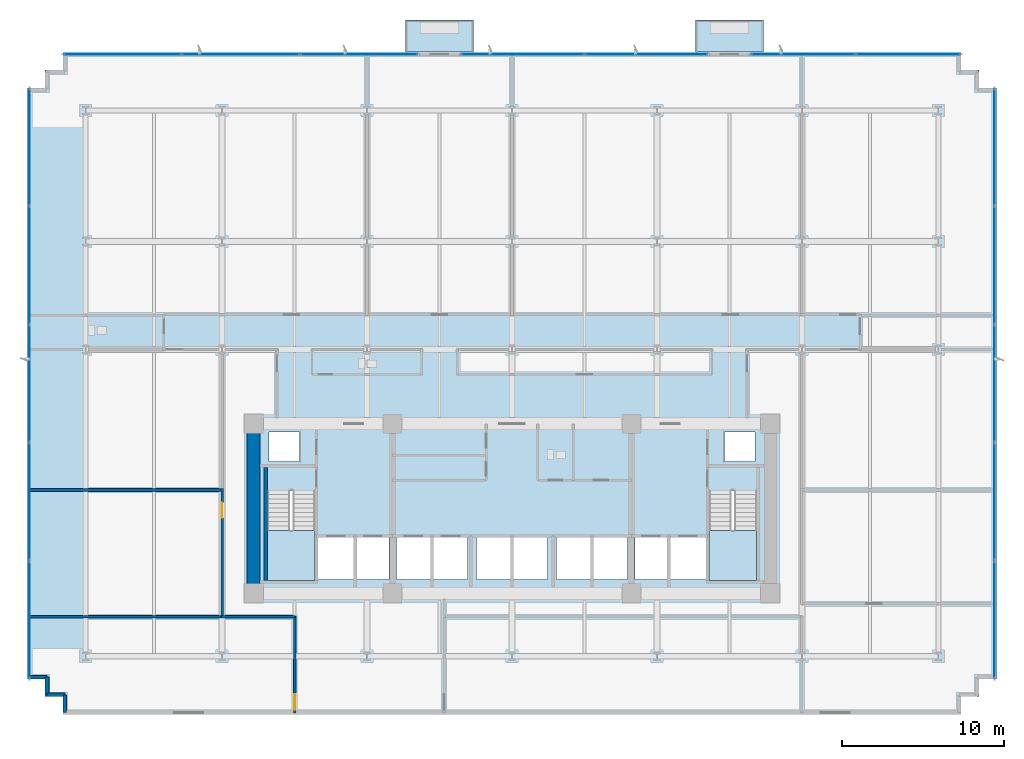
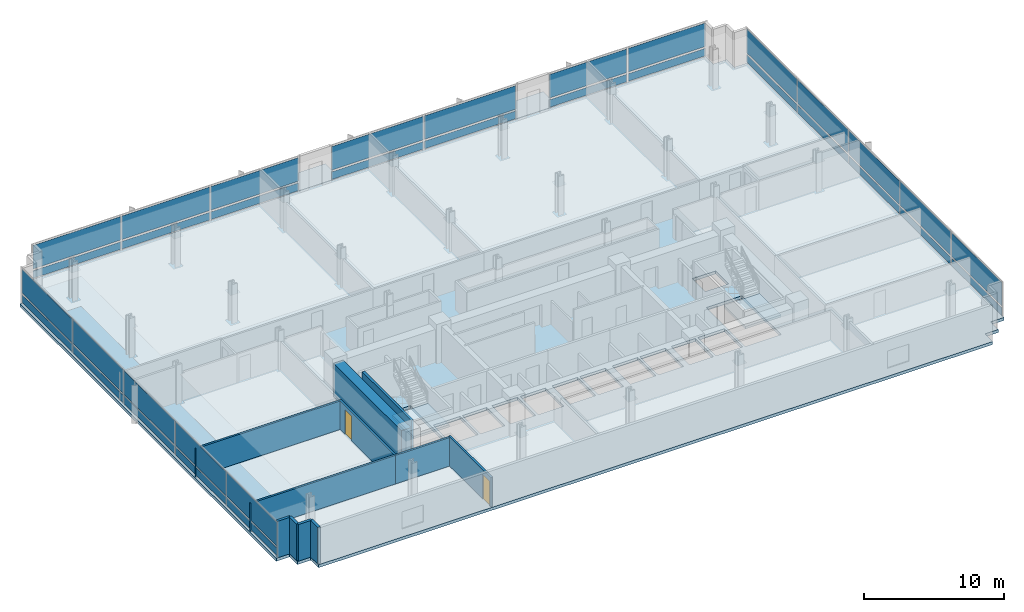
# One storey, part 7 of 14: 34 plates, 11 walls, 5 slabs, 2 doors, 2 openings, 7 elements without a shape of their own.
"""IFC4 building model written with IfcOpenShell, lengths in metres."""

from ifc_helpers import new_model, si_unit, direction, frame, frame_2d, origin, origin_2d, place, context, subcontext, project, spatial, polyline, rectangle, outline, extrude, material, layer, layer_set, type_object, element, fill, aggregate, save


model = new_model("IFC4")

# Units and contexts
model_context = context("Model", 3, precision=1e-05, world=origin(), true_north=direction((0.0, 1.0)))
body_context = subcontext(model_context, "Body", "Model", "MODEL_VIEW")
ifc_project = project(units=[si_unit("LENGTHUNIT", "METRE"), si_unit("AREAUNIT", "SQUARE_METRE"), si_unit("VOLUMEUNIT", "CUBIC_METRE"), si_unit("PLANEANGLEUNIT", "RADIAN"), si_unit("MASSUNIT", "GRAM", prefix="KILO")], contexts=[model_context])

# Site, building, storey
site_placement = place(None, origin())
site = spatial("IfcSite", under=ifc_project, at=site_placement, CompositionType="ELEMENT")
building_placement = place(site_placement, origin())
building = spatial("IfcBuilding", under=site, at=building_placement, Name="Solmavex Isthmus Hotel", CompositionType="ELEMENT")
storey_placement = place(building_placement, frame((0.0, 0.0, 50.550048828125)))
storey = spatial("IfcBuildingStorey", under=building, at=storey_placement, Name="L13", CompositionType="ELEMENT", Elevation=50.550048828125)

# Curtain wall, plates
ifc_material_1 = material(Name="Aluminium alloy 6063-T6", Category="aluminium")
curtain_wall_type = type_object("IfcCurtainWallType", Name="CW-SYS-02", PredefinedType="NOTDEFINED", material=ifc_material_1)
curtain_wall_1_placement = place(storey_placement, origin())
curtain_wall_1 = element("IfcCurtainWall", 1, at=curtain_wall_1_placement, inside=storey, type_object=curtain_wall_type, Name="Stick Curtain Wall CWL-L13-N1", PredefinedType="NOTDEFINED")
ifc_material_2 = material(Name="Clear low-E laminated glass", Category="glass")
ifc_layer_1 = layer(ifc_material_2, 0.031982421875)
ifc_layer_set_1 = layer_set([ifc_layer_1], Name="Clear low-E laminated glass")
plate_type = type_object("IfcPlateType", Name="CW-SYS-02-PNL", PredefinedType="CURTAIN_PANEL", material=ifc_layer_set_1)
plate_1_placement = place(storey_placement, frame((-24.112548828125, 20.3798828125, 0.16015625), z_axis=(0.0, 0.0, 1.0), x_axis=(1.0, 0.0, 0.0)))
plate_1 = element("IfcPlate", 2, at=plate_1_placement, type_object=plate_type, Name="CW-02 panel 1.1", PredefinedType="CURTAIN_PANEL", context=body_context, shape_type="SweptSolid", body=[
    extrude(rectangle(XDim=7.224853515625, YDim=0.031982421875, at=origin_2d()), origin(), (0.0, 0.0, 1.0), 0.659912109375),
])
plate_2_placement = place(storey_placement, frame((-24.112548828125, 20.3798828125, 0.97998046875), z_axis=(0.0, 0.0, 1.0), x_axis=(1.0, 0.0, 0.0)))
plate_2 = element("IfcPlate", 3, at=plate_2_placement, type_object=plate_type, Name="CW-02 panel 1.2", PredefinedType="CURTAIN_PANEL", context=body_context, shape_type="SweptSolid", body=[
    extrude(rectangle(XDim=7.224853515625, YDim=0.031982421875, at=origin_2d()), origin(), (0.0, 0.0, 1.0), 2.050048828125),
])
plate_3_placement = place(storey_placement, frame((-16.7939453125, 20.3798828125, 0.16015625), z_axis=(0.0, 0.0, 1.0), x_axis=(1.0, 0.0, 0.0)))
plate_3 = element("IfcPlate", 4, at=plate_3_placement, type_object=plate_type, Name="CW-02 panel 2.1", PredefinedType="CURTAIN_PANEL", context=body_context, shape_type="SweptSolid", body=[
    extrude(rectangle(XDim=7.262451171875, YDim=0.031982421875, at=origin_2d()), origin(), (0.0, 0.0, 1.0), 0.659912109375),
])
plate_4_placement = place(storey_placement, frame((-16.7939453125, 20.3798828125, 0.97998046875), z_axis=(0.0, 0.0, 1.0), x_axis=(1.0, 0.0, 0.0)))
plate_4 = element("IfcPlate", 5, at=plate_4_placement, type_object=plate_type, Name="CW-02 panel 2.2", PredefinedType="CURTAIN_PANEL", context=body_context, shape_type="SweptSolid", body=[
    extrude(rectangle(XDim=7.262451171875, YDim=0.031982421875, at=origin_2d()), origin(), (0.0, 0.0, 1.0), 2.050048828125),
])
plate_5_placement = place(storey_placement, frame((-9.475341796875, 20.3798828125, 0.16015625), z_axis=(0.0, 0.0, 1.0), x_axis=(1.0, 0.0, 0.0)))
plate_5 = element("IfcPlate", 6, at=plate_5_placement, type_object=plate_type, Name="CW-02 panel 3.1", PredefinedType="CURTAIN_PANEL", context=body_context, shape_type="SweptSolid", body=[
    extrude(rectangle(XDim=7.224853515625, YDim=0.031982421875, at=origin_2d()), origin(), (0.0, 0.0, 1.0), 0.659912109375),
])
plate_6_placement = place(storey_placement, frame((-9.475341796875, 20.3798828125, 0.97998046875), z_axis=(0.0, 0.0, 1.0), x_axis=(1.0, 0.0, 0.0)))
plate_6 = element("IfcPlate", 7, at=plate_6_placement, type_object=plate_type, Name="CW-02 panel 3.2", PredefinedType="CURTAIN_PANEL", context=body_context, shape_type="SweptSolid", body=[
    extrude(rectangle(XDim=7.224853515625, YDim=0.031982421875, at=origin_2d()), origin(), (0.0, 0.0, 1.0), 2.050048828125),
])
aggregate(curtain_wall_1, [plate_1, plate_2, plate_3, plate_4, plate_5, plate_6])

curtain_wall_2_placement = place(storey_placement, origin())
curtain_wall_2 = element("IfcCurtainWall", 8, at=curtain_wall_2_placement, inside=storey, type_object=curtain_wall_type, Name="Stick Curtain Wall CWL-L13-N2", PredefinedType="NOTDEFINED")
plate_7_placement = place(storey_placement, frame((0.668701171875, 20.3798828125, 0.16015625), z_axis=(0.0, 0.0, 1.0), x_axis=(1.0, 0.0, 0.0)))
plate_7 = element("IfcPlate", 9, at=plate_7_placement, type_object=plate_type, Name="CW-02 panel 1.1", PredefinedType="CURTAIN_PANEL", context=body_context, shape_type="SweptSolid", body=[
    extrude(rectangle(XDim=7.5634765625, YDim=0.031982421875, at=origin_2d()), origin(), (0.0, 0.0, 1.0), 0.659912109375),
])
plate_8_placement = place(storey_placement, frame((0.668701171875, 20.3798828125, 0.97998046875), z_axis=(0.0, 0.0, 1.0), x_axis=(1.0, 0.0, 0.0)))
plate_8 = element("IfcPlate", 10, at=plate_8_placement, type_object=plate_type, Name="CW-02 panel 1.2", PredefinedType="CURTAIN_PANEL", context=body_context, shape_type="SweptSolid", body=[
    extrude(rectangle(XDim=7.5634765625, YDim=0.031982421875, at=origin_2d()), origin(), (0.0, 0.0, 1.0), 2.050048828125),
])
plate_9_placement = place(storey_placement, frame((8.30712890625, 20.3798828125, 0.16015625), z_axis=(0.0, 0.0, 1.0), x_axis=(1.0, 0.0, 0.0)))
plate_9 = element("IfcPlate", 11, at=plate_9_placement, type_object=plate_type, Name="CW-02 panel 2.1", PredefinedType="CURTAIN_PANEL", context=body_context, shape_type="SweptSolid", body=[
    extrude(rectangle(XDim=7.5634765625, YDim=0.031982421875, at=origin_2d()), origin(), (0.0, 0.0, 1.0), 0.659912109375),
])
plate_10_placement = place(storey_placement, frame((8.30712890625, 20.3798828125, 0.97998046875), z_axis=(0.0, 0.0, 1.0), x_axis=(1.0, 0.0, 0.0)))
plate_10 = element("IfcPlate", 12, at=plate_10_placement, type_object=plate_type, Name="CW-02 panel 2.2", PredefinedType="CURTAIN_PANEL", context=body_context, shape_type="SweptSolid", body=[
    extrude(rectangle(XDim=7.5634765625, YDim=0.031982421875, at=origin_2d()), origin(), (0.0, 0.0, 1.0), 2.050048828125),
])
aggregate(curtain_wall_2, [plate_7, plate_8, plate_9, plate_10])

curtain_wall_3_placement = place(storey_placement, origin())
curtain_wall_3 = element("IfcCurtainWall", 13, at=curtain_wall_3_placement, inside=storey, type_object=curtain_wall_type, Name="Stick Curtain Wall CWL-L13-N3", PredefinedType="NOTDEFINED")
plate_11_placement = place(storey_placement, frame((18.041748046875, 20.3798828125, 0.16015625), z_axis=(0.0, 0.0, 1.0), x_axis=(1.0, 0.0, 0.0)))
plate_11 = element("IfcPlate", 14, at=plate_11_placement, type_object=plate_type, Name="CW-02 panel 1.1", PredefinedType="CURTAIN_PANEL", context=body_context, shape_type="SweptSolid", body=[
    extrude(rectangle(XDim=6.405517578125, YDim=0.031982421875, at=origin_2d()), origin(), (0.0, 0.0, 1.0), 0.659912109375),
])
plate_12_placement = place(storey_placement, frame((18.041748046875, 20.3798828125, 0.97998046875), z_axis=(0.0, 0.0, 1.0), x_axis=(1.0, 0.0, 0.0)))
plate_12 = element("IfcPlate", 15, at=plate_12_placement, type_object=plate_type, Name="CW-02 panel 1.2", PredefinedType="CURTAIN_PANEL", context=body_context, shape_type="SweptSolid", body=[
    extrude(rectangle(XDim=6.405517578125, YDim=0.031982421875, at=origin_2d()), origin(), (0.0, 0.0, 1.0), 2.050048828125),
])
plate_13_placement = place(storey_placement, frame((24.522216796875, 20.3798828125, 0.16015625), z_axis=(0.0, 0.0, 1.0), x_axis=(1.0, 0.0, 0.0)))
plate_13 = element("IfcPlate", 16, at=plate_13_placement, type_object=plate_type, Name="CW-02 panel 2.1", PredefinedType="CURTAIN_PANEL", context=body_context, shape_type="SweptSolid", body=[
    extrude(rectangle(XDim=6.405517578125, YDim=0.031982421875, at=origin_2d()), origin(), (0.0, 0.0, 1.0), 0.659912109375),
])
plate_14_placement = place(storey_placement, frame((24.522216796875, 20.3798828125, 0.97998046875), z_axis=(0.0, 0.0, 1.0), x_axis=(1.0, 0.0, 0.0)))
plate_14 = element("IfcPlate", 17, at=plate_14_placement, type_object=plate_type, Name="CW-02 panel 2.2", PredefinedType="CURTAIN_PANEL", context=body_context, shape_type="SweptSolid", body=[
    extrude(rectangle(XDim=6.405517578125, YDim=0.031982421875, at=origin_2d()), origin(), (0.0, 0.0, 1.0), 2.050048828125),
])
aggregate(curtain_wall_3, [plate_11, plate_12, plate_13, plate_14])

curtain_wall_4_placement = place(storey_placement, origin())
curtain_wall_4 = element("IfcCurtainWall", 18, at=curtain_wall_4_placement, inside=storey, type_object=curtain_wall_type, Name="Stick Curtain Wall CWL-L13-W1", PredefinedType="NOTDEFINED")
plate_15_placement = place(storey_placement, frame((-29.8798828125, -14.621337890625, 0.16015625), z_axis=(0.0, 0.0, 1.0), x_axis=(0.0, 1.0, 0.0)))
plate_15 = element("IfcPlate", 19, at=plate_15_placement, type_object=plate_type, Name="CW-02 panel 1.1", PredefinedType="CURTAIN_PANEL", context=body_context, shape_type="SweptSolid", body=[
    extrude(rectangle(XDim=7.20751953125, YDim=0.031982421875, at=origin_2d()), origin(), (0.0, 0.0, 1.0), 0.659912109375),
])
plate_16_placement = place(storey_placement, frame((-29.8798828125, -14.621337890625, 0.97998046875), z_axis=(0.0, 0.0, 1.0), x_axis=(0.0, 1.0, 0.0)))
plate_16 = element("IfcPlate", 20, at=plate_16_placement, type_object=plate_type, Name="CW-02 panel 1.2", PredefinedType="CURTAIN_PANEL", context=body_context, shape_type="SweptSolid", body=[
    extrude(rectangle(XDim=7.20751953125, YDim=0.031982421875, at=origin_2d()), origin(), (0.0, 0.0, 1.0), 2.050048828125),
])
plate_17_placement = place(storey_placement, frame((-29.8798828125, -7.320068359375, 0.16015625), z_axis=(0.0, 0.0, 1.0), x_axis=(0.0, 1.0, 0.0)))
plate_17 = element("IfcPlate", 21, at=plate_17_placement, type_object=plate_type, Name="CW-02 panel 2.1", PredefinedType="CURTAIN_PANEL", context=body_context, shape_type="SweptSolid", body=[
    extrude(rectangle(XDim=7.2451171875, YDim=0.031982421875, at=origin_2d()), origin(), (0.0, 0.0, 1.0), 0.659912109375),
])
plate_18_placement = place(storey_placement, frame((-29.8798828125, -7.320068359375, 0.97998046875), z_axis=(0.0, 0.0, 1.0), x_axis=(0.0, 1.0, 0.0)))
plate_18 = element("IfcPlate", 22, at=plate_18_placement, type_object=plate_type, Name="CW-02 panel 2.2", PredefinedType="CURTAIN_PANEL", context=body_context, shape_type="SweptSolid", body=[
    extrude(rectangle(XDim=7.2451171875, YDim=0.031982421875, at=origin_2d()), origin(), (0.0, 0.0, 1.0), 2.050048828125),
])
plate_19_placement = place(storey_placement, frame((-29.8798828125, 0.0, 0.16015625), z_axis=(0.0, 0.0, 1.0), x_axis=(0.0, 1.0, 0.0)))
plate_19 = element("IfcPlate", 23, at=plate_19_placement, type_object=plate_type, Name="CW-02 panel 3.1", PredefinedType="CURTAIN_PANEL", context=body_context, shape_type="SweptSolid", body=[
    extrude(rectangle(XDim=7.2451171875, YDim=0.031982421875, at=origin_2d()), origin(), (0.0, 0.0, 1.0), 0.659912109375),
])
plate_20_placement = place(storey_placement, frame((-29.8798828125, 0.0, 0.97998046875), z_axis=(0.0, 0.0, 1.0), x_axis=(0.0, 1.0, 0.0)))
plate_20 = element("IfcPlate", 24, at=plate_20_placement, type_object=plate_type, Name="CW-02 panel 3.2", PredefinedType="CURTAIN_PANEL", context=body_context, shape_type="SweptSolid", body=[
    extrude(rectangle(XDim=7.2451171875, YDim=0.031982421875, at=origin_2d()), origin(), (0.0, 0.0, 1.0), 2.050048828125),
])
plate_21_placement = place(storey_placement, frame((-29.8798828125, 7.320068359375, 0.16015625), z_axis=(0.0, 0.0, 1.0), x_axis=(0.0, 1.0, 0.0)))
plate_21 = element("IfcPlate", 25, at=plate_21_placement, type_object=plate_type, Name="CW-02 panel 4.1", PredefinedType="CURTAIN_PANEL", context=body_context, shape_type="SweptSolid", body=[
    extrude(rectangle(XDim=7.2451171875, YDim=0.031982421875, at=origin_2d()), origin(), (0.0, 0.0, 1.0), 0.659912109375),
])
plate_22_placement = place(storey_placement, frame((-29.8798828125, 7.320068359375, 0.97998046875), z_axis=(0.0, 0.0, 1.0), x_axis=(0.0, 1.0, 0.0)))
plate_22 = element("IfcPlate", 26, at=plate_22_placement, type_object=plate_type, Name="CW-02 panel 4.2", PredefinedType="CURTAIN_PANEL", context=body_context, shape_type="SweptSolid", body=[
    extrude(rectangle(XDim=7.2451171875, YDim=0.031982421875, at=origin_2d()), origin(), (0.0, 0.0, 1.0), 2.050048828125),
])
plate_23_placement = place(storey_placement, frame((-29.8798828125, 14.621337890625, 0.16015625), z_axis=(0.0, 0.0, 1.0), x_axis=(0.0, 1.0, 0.0)))
plate_23 = element("IfcPlate", 27, at=plate_23_placement, type_object=plate_type, Name="CW-02 panel 5.1", PredefinedType="CURTAIN_PANEL", context=body_context, shape_type="SweptSolid", body=[
    extrude(rectangle(XDim=7.20751953125, YDim=0.031982421875, at=origin_2d()), origin(), (0.0, 0.0, 1.0), 0.659912109375),
])
plate_24_placement = place(storey_placement, frame((-29.8798828125, 14.621337890625, 0.97998046875), z_axis=(0.0, 0.0, 1.0), x_axis=(0.0, 1.0, 0.0)))
plate_24 = element("IfcPlate", 28, at=plate_24_placement, type_object=plate_type, Name="CW-02 panel 5.2", PredefinedType="CURTAIN_PANEL", context=body_context, shape_type="SweptSolid", body=[
    extrude(rectangle(XDim=7.20751953125, YDim=0.031982421875, at=origin_2d()), origin(), (0.0, 0.0, 1.0), 2.050048828125),
])
aggregate(curtain_wall_4, [plate_15, plate_16, plate_17, plate_18, plate_19, plate_20, plate_21, plate_22, plate_23, plate_24])

curtain_wall_5_placement = place(storey_placement, origin())
curtain_wall_5 = element("IfcCurtainWall", 29, at=curtain_wall_5_placement, inside=storey, type_object=curtain_wall_type, Name="Stick Curtain Wall CWL-L13-E1", PredefinedType="NOTDEFINED")
plate_25_placement = place(storey_placement, frame((29.8798828125, -14.621337890625, 0.16015625), z_axis=(0.0, 0.0, 1.0), x_axis=(0.0, 1.0, 0.0)))
plate_25 = element("IfcPlate", 30, at=plate_25_placement, type_object=plate_type, Name="CW-02 panel 1.1", PredefinedType="CURTAIN_PANEL", context=body_context, shape_type="SweptSolid", body=[
    extrude(rectangle(XDim=7.20751953125, YDim=0.031982421875, at=origin_2d()), origin(), (0.0, 0.0, 1.0), 0.659912109375),
])
plate_26_placement = place(storey_placement, frame((29.8798828125, -14.621337890625, 0.97998046875), z_axis=(0.0, 0.0, 1.0), x_axis=(0.0, 1.0, 0.0)))
plate_26 = element("IfcPlate", 31, at=plate_26_placement, type_object=plate_type, Name="CW-02 panel 1.2", PredefinedType="CURTAIN_PANEL", context=body_context, shape_type="SweptSolid", body=[
    extrude(rectangle(XDim=7.20751953125, YDim=0.031982421875, at=origin_2d()), origin(), (0.0, 0.0, 1.0), 2.050048828125),
])
plate_27_placement = place(storey_placement, frame((29.8798828125, -7.320068359375, 0.16015625), z_axis=(0.0, 0.0, 1.0), x_axis=(0.0, 1.0, 0.0)))
plate_27 = element("IfcPlate", 32, at=plate_27_placement, type_object=plate_type, Name="CW-02 panel 2.1", PredefinedType="CURTAIN_PANEL", context=body_context, shape_type="SweptSolid", body=[
    extrude(rectangle(XDim=7.2451171875, YDim=0.031982421875, at=origin_2d()), origin(), (0.0, 0.0, 1.0), 0.659912109375),
])
plate_28_placement = place(storey_placement, frame((29.8798828125, -7.320068359375, 0.97998046875), z_axis=(0.0, 0.0, 1.0), x_axis=(0.0, 1.0, 0.0)))
plate_28 = element("IfcPlate", 33, at=plate_28_placement, type_object=plate_type, Name="CW-02 panel 2.2", PredefinedType="CURTAIN_PANEL", context=body_context, shape_type="SweptSolid", body=[
    extrude(rectangle(XDim=7.2451171875, YDim=0.031982421875, at=origin_2d()), origin(), (0.0, 0.0, 1.0), 2.050048828125),
])
plate_29_placement = place(storey_placement, frame((29.8798828125, 0.0, 0.16015625), z_axis=(0.0, 0.0, 1.0), x_axis=(0.0, 1.0, 0.0)))
plate_29 = element("IfcPlate", 34, at=plate_29_placement, type_object=plate_type, Name="CW-02 panel 3.1", PredefinedType="CURTAIN_PANEL", context=body_context, shape_type="SweptSolid", body=[
    extrude(rectangle(XDim=7.2451171875, YDim=0.031982421875, at=origin_2d()), origin(), (0.0, 0.0, 1.0), 0.659912109375),
])
plate_30_placement = place(storey_placement, frame((29.8798828125, 0.0, 0.97998046875), z_axis=(0.0, 0.0, 1.0), x_axis=(0.0, 1.0, 0.0)))
plate_30 = element("IfcPlate", 35, at=plate_30_placement, type_object=plate_type, Name="CW-02 panel 3.2", PredefinedType="CURTAIN_PANEL", context=body_context, shape_type="SweptSolid", body=[
    extrude(rectangle(XDim=7.2451171875, YDim=0.031982421875, at=origin_2d()), origin(), (0.0, 0.0, 1.0), 2.050048828125),
])
plate_31_placement = place(storey_placement, frame((29.8798828125, 7.320068359375, 0.16015625), z_axis=(0.0, 0.0, 1.0), x_axis=(0.0, 1.0, 0.0)))
plate_31 = element("IfcPlate", 36, at=plate_31_placement, type_object=plate_type, Name="CW-02 panel 4.1", PredefinedType="CURTAIN_PANEL", context=body_context, shape_type="SweptSolid", body=[
    extrude(rectangle(XDim=7.2451171875, YDim=0.031982421875, at=origin_2d()), origin(), (0.0, 0.0, 1.0), 0.659912109375),
])
plate_32_placement = place(storey_placement, frame((29.8798828125, 7.320068359375, 0.97998046875), z_axis=(0.0, 0.0, 1.0), x_axis=(0.0, 1.0, 0.0)))
plate_32 = element("IfcPlate", 37, at=plate_32_placement, type_object=plate_type, Name="CW-02 panel 4.2", PredefinedType="CURTAIN_PANEL", context=body_context, shape_type="SweptSolid", body=[
    extrude(rectangle(XDim=7.2451171875, YDim=0.031982421875, at=origin_2d()), origin(), (0.0, 0.0, 1.0), 2.050048828125),
])
plate_33_placement = place(storey_placement, frame((29.8798828125, 14.621337890625, 0.16015625), z_axis=(0.0, 0.0, 1.0), x_axis=(0.0, 1.0, 0.0)))
plate_33 = element("IfcPlate", 38, at=plate_33_placement, type_object=plate_type, Name="CW-02 panel 5.1", PredefinedType="CURTAIN_PANEL", context=body_context, shape_type="SweptSolid", body=[
    extrude(rectangle(XDim=7.20751953125, YDim=0.031982421875, at=origin_2d()), origin(), (0.0, 0.0, 1.0), 0.659912109375),
])
plate_34_placement = place(storey_placement, frame((29.8798828125, 14.621337890625, 0.97998046875), z_axis=(0.0, 0.0, 1.0), x_axis=(0.0, 1.0, 0.0)))
plate_34 = element("IfcPlate", 39, at=plate_34_placement, type_object=plate_type, Name="CW-02 panel 5.2", PredefinedType="CURTAIN_PANEL", context=body_context, shape_type="SweptSolid", body=[
    extrude(rectangle(XDim=7.20751953125, YDim=0.031982421875, at=origin_2d()), origin(), (0.0, 0.0, 1.0), 2.050048828125),
])
aggregate(curtain_wall_5, [plate_25, plate_26, plate_27, plate_28, plate_29, plate_30, plate_31, plate_32, plate_33, plate_34])

# Slabs
ifc_material_3 = material(Name="Concrete C40/50", Category="concrete")
ifc_layer_2 = layer(ifc_material_3, 0.239990234375)
ifc_layer_set_2 = layer_set([ifc_layer_2], Name="Concrete C40/50")
slab_type_1 = type_object("IfcSlabType", Name="SLAB-BALC-240", PredefinedType="FLOOR", material=ifc_layer_set_2)
slab_1_placement = place(storey_placement, frame((0.0, 0.0, -0.239990234375)))
element("IfcSlab", 40, at=slab_1_placement, inside=storey, type_object=slab_type_1, Name="Tree-Planter Balcony Slab L13-B1", PredefinedType="FLOOR", context=body_context, shape_type="SweptSolid", body=[
    extrude(outline(polyline([(-6.587890625, 20.514892578125), (-2.387939453125, 20.514892578125), (-2.387939453125, 22.5), (-6.587890625, 22.5), (-6.587890625, 20.514892578125)])), origin(), (0.0, 0.0, 1.0), 0.239990234375),
])
slab_2_placement = place(storey_placement, frame((0.0, 0.0, -0.239990234375)))
element("IfcSlab", 41, at=slab_2_placement, inside=storey, type_object=slab_type_1, Name="Tree-Planter Balcony Slab L13-B2", PredefinedType="FLOOR", context=body_context, shape_type="SweptSolid", body=[
    extrude(outline(polyline([(11.364013671875, 20.514892578125), (15.56396484375, 20.514892578125), (15.56396484375, 22.5), (11.364013671875, 22.5), (11.364013671875, 20.514892578125)])), origin(), (0.0, 0.0, 1.0), 0.239990234375),
])
ifc_layer_3 = layer(ifc_material_3, 0.260009765625)
ifc_layer_set_3 = layer_set([ifc_layer_3], Name="Concrete C40/50")
slab_type_2 = type_object("IfcSlabType", Name="SLAB-TYP-260", PredefinedType="FLOOR", material=ifc_layer_set_3)
slab_3_placement = place(storey_placement, frame((0.0, 0.0, -0.260009765625)))
element("IfcSlab", 42, at=slab_3_placement, inside=storey, type_object=slab_type_2, Name="Tower Structural Floor Slab L13", PredefinedType="FLOOR", context=body_context, shape_type="SweptSolid", body=[
    extrude(outline(polyline([(-26.699951171875, -20.5), (26.699951171875, -20.5), (27.800048828125, -20.5), (27.800048828125, -19.39990234375), (28.89990234375, -19.39990234375), (28.89990234375, -18.300048828125), (30.0, -18.300048828125), (30.0, -17.199951171875), (30.0, 17.199951171875), (30.0, 18.300048828125), (28.89990234375, 18.300048828125), (28.89990234375, 19.39990234375), (27.800048828125, 19.39990234375), (27.800048828125, 20.5), (26.699951171875, 20.5), (-26.699951171875, 20.5), (-27.800048828125, 20.5), (-27.800048828125, 19.39990234375), (-28.89990234375, 19.39990234375), (-28.89990234375, 18.300048828125), (-30.0, 18.300048828125), (-30.0, 17.199951171875), (-30.0, -17.199951171875), (-30.0, -18.300048828125), (-28.89990234375, -18.300048828125), (-28.89990234375, -19.39990234375), (-27.800048828125, -19.39990234375), (-27.800048828125, -20.5), (-26.699951171875, -20.5)]), holes=[polyline([(-15.14990234375, -6.617919921875), (-15.14990234375, -12.199951171875), (-12.199951171875, -12.199951171875), (-12.199951171875, -6.617919921875), (-15.14990234375, -6.617919921875)]), polyline([(12.199951171875, -6.617919921875), (12.199951171875, -12.199951171875), (15.14990234375, -12.199951171875), (15.14990234375, -6.617919921875), (12.199951171875, -6.617919921875)]), polyline([(-12.0, -12.14990234375), (-9.800048828125, -12.14990234375), (-9.800048828125, -9.550048828125), (-12.0, -9.550048828125), (-12.0, -12.14990234375)]), polyline([(9.800048828125, -12.14990234375), (12.0, -12.14990234375), (12.0, -9.550048828125), (9.800048828125, -9.550048828125), (9.800048828125, -12.14990234375)]), polyline([(-9.60009765625, -12.14990234375), (-7.60009765625, -12.14990234375), (-7.60009765625, -9.550048828125), (-9.60009765625, -9.550048828125), (-9.60009765625, -12.14990234375)]), polyline([(7.60009765625, -12.14990234375), (9.60009765625, -12.14990234375), (9.60009765625, -9.550048828125), (7.60009765625, -9.550048828125), (7.60009765625, -12.14990234375)]), polyline([(-7.14990234375, -12.14990234375), (-5.050048828125, -12.14990234375), (-5.050048828125, -9.550048828125), (-7.14990234375, -9.550048828125), (-7.14990234375, -12.14990234375)]), polyline([(-4.85009765625, -12.14990234375), (-2.75, -12.14990234375), (-2.75, -9.550048828125), (-4.85009765625, -9.550048828125), (-4.85009765625, -12.14990234375)]), polyline([(-2.199951171875, -12.14990234375), (-0.10009765625, -12.14990234375), (-0.10009765625, -9.550048828125), (-2.199951171875, -9.550048828125), (-2.199951171875, -12.14990234375)]), polyline([(0.10009765625, -12.14990234375), (2.199951171875, -12.14990234375), (2.199951171875, -9.550048828125), (0.10009765625, -9.550048828125), (0.10009765625, -12.14990234375)]), polyline([(2.75, -12.14990234375), (4.85009765625, -12.14990234375), (4.85009765625, -9.550048828125), (2.75, -9.550048828125), (2.75, -12.14990234375)]), polyline([(5.050048828125, -12.14990234375), (7.14990234375, -12.14990234375), (7.14990234375, -9.550048828125), (5.050048828125, -9.550048828125), (5.050048828125, -12.14990234375)]), polyline([(-15.050048828125, -4.85009765625), (-13.14990234375, -4.85009765625), (-13.14990234375, -3.0), (-15.050048828125, -3.0), (-15.050048828125, -4.85009765625)]), polyline([(13.14990234375, -4.85009765625), (15.050048828125, -4.85009765625), (15.050048828125, -3.0), (13.14990234375, -3.0), (13.14990234375, -4.85009765625)])]), origin(), (0.0, 0.0, 1.0), 0.260009765625),
])

# Stair, slab
stair_type_1 = type_object("IfcStairType", Name="STR-ST-1", PredefinedType="HALF_TURN_STAIR", material=ifc_material_3)
stair_1_placement = place(storey_placement, origin())
stair_1 = element("IfcStair", 43, at=stair_1_placement, inside=storey, type_object=stair_type_1, Name="L13 Protected Exit Stair ST-1", PredefinedType="HALF_TURN_STAIR")
ifc_layer_4 = layer(ifc_material_3, 0.219970703125)
ifc_layer_set_4 = layer_set([ifc_layer_4], Name="Concrete C40/50")
slab_type_3 = type_object("IfcSlabType", Name="SLD-ST-1", PredefinedType="LANDING", material=ifc_layer_set_4)
slab_4_placement = place(storey_placement, frame((0.0, 0.0, 1.52490234375)))
slab_4 = element("IfcSlab", 44, at=slab_4_placement, type_object=slab_type_3, Name="ST-1 landing 1", PredefinedType="LANDING", context=body_context, shape_type="SweptSolid", body=[
    extrude(outline(polyline([(-15.14990234375, -9.1201171875), (-15.14990234375, -12.199951171875), (-12.199951171875, -12.199951171875), (-12.199951171875, -9.1201171875), (-15.14990234375, -9.1201171875)])), origin(), (0.0, 0.0, 1.0), 0.199951171875),
])
aggregate(stair_1, [slab_4])

stair_type_2 = type_object("IfcStairType", Name="STR-ST-2", PredefinedType="HALF_TURN_STAIR", material=ifc_material_3)
stair_2_placement = place(storey_placement, origin())
stair_2 = element("IfcStair", 45, at=stair_2_placement, inside=storey, type_object=stair_type_2, Name="L13 Protected Exit Stair ST-2", PredefinedType="HALF_TURN_STAIR")
ifc_layer_5 = layer(ifc_material_3, 0.219970703125)
ifc_layer_set_5 = layer_set([ifc_layer_5], Name="Concrete C40/50")
slab_type_4 = type_object("IfcSlabType", Name="SLD-ST-2", PredefinedType="LANDING", material=ifc_layer_set_5)
slab_5_placement = place(storey_placement, frame((0.0, 0.0, 1.52490234375)))
slab_5 = element("IfcSlab", 46, at=slab_5_placement, type_object=slab_type_4, Name="ST-2 landing 1", PredefinedType="LANDING", context=body_context, shape_type="SweptSolid", body=[
    extrude(outline(polyline([(12.199951171875, -9.1201171875), (12.199951171875, -12.199951171875), (15.14990234375, -12.199951171875), (15.14990234375, -9.1201171875), (12.199951171875, -9.1201171875)])), origin(), (0.0, 0.0, 1.0), 0.199951171875),
])
aggregate(stair_2, [slab_5])

# Walls
ifc_material_4 = material(Name="Precast Concrete C40/50", Category="concrete")
ifc_layer_6 = layer(ifc_material_4, 0.25)
ifc_layer_set_6 = layer_set([ifc_layer_6], Name="Precast Concrete C40/50")
wall_type_1 = type_object("IfcWallType", Name="EW-TWR-250", PredefinedType="STANDARD", material=ifc_layer_set_6)
wall_1_placement = place(storey_placement, frame((-27.68994140625, -20.389892578125, 0.0), z_axis=(0.0, 0.0, 1.0), x_axis=(0.0, 1.0, 0.0)))
element("IfcWall", 47, at=wall_1_placement, inside=storey, type_object=wall_type_1, Name="Serrated Corner Facade Panel L13-01", PredefinedType="STANDARD", context=body_context, shape_type="SweptSolid", body=[
    extrude(rectangle(XDim=1.099853515625, YDim=0.219970703125, at=frame_2d((0.5498046875, 0.0))), origin(), (0.0, 0.0, 1.0), 3.18994140625),
])
for number, where, z_axis, x_axis, name in (
    (48, (-27.68994140625, -19.2900390625, 0.0), (0.0, 0.0, 1.0), (-1.0, 0.0, 0.0), "Serrated Corner Facade Panel L13-02"),
    (49, (-28.7900390625, -19.2900390625, 0.0), (0.0, 0.0, 1.0), (0.0, 1.0, 0.0), "Serrated Corner Facade Panel L13-03"),
):
    element("IfcWall", number, at=place(storey_placement, frame(where, z_axis=z_axis, x_axis=x_axis)), inside=storey, type_object=wall_type_1, Name=name, PredefinedType="STANDARD", context=body_context, shape_type="SweptSolid", body=[
        extrude(rectangle(XDim=1.10009765625, YDim=0.219970703125, at=frame_2d((0.550048828125, 0.0))), origin(), (0.0, 0.0, 1.0), 3.18994140625),
    ])
wall_2_placement = place(storey_placement, frame((-28.7900390625, -18.18994140625, 0.0), z_axis=(0.0, 0.0, 1.0), x_axis=(-1.0, 0.0, 0.0)))
element("IfcWall", 50, at=wall_2_placement, inside=storey, type_object=wall_type_1, Name="Serrated Corner Facade Panel L13-04", PredefinedType="STANDARD", context=body_context, shape_type="SweptSolid", body=[
    extrude(rectangle(XDim=1.099853515625, YDim=0.219970703125, at=frame_2d((0.5498046875, 0.0))), origin(), (0.0, 0.0, 1.0), 3.18994140625),
])

# Wall, opening, door
ifc_material_5 = material(Name="Gypsum plasterboard lining", Category="gypsum")
ifc_layer_7 = layer(ifc_material_5, 0.159912109375)
ifc_layer_set_7 = layer_set([ifc_layer_7], Name="Gypsum plasterboard lining")
wall_type_2 = type_object("IfcWallType", Name="IW-COMP-160", PredefinedType="PARTITIONING", material=ifc_layer_set_7)
wall_3_placement = place(storey_placement, frame((-17.951904296875, -14.489990234375, 0.0), z_axis=(0.0, 0.0, 1.0), x_axis=(0.0, 1.0, 0.0)))
wall_3 = element("IfcWall", 51, at=wall_3_placement, inside=storey, type_object=wall_type_2, Name="Interior Partition Wall W-L13-P043", PredefinedType="PARTITIONING", context=body_context, shape_type="SweptSolid", body=[
    extrude(rectangle(XDim=7.971923828125, YDim=0.159912109375, at=frame_2d((3.98583984375, 0.0))), origin(), (0.0, 0.0, 1.0), 2.4794921875),
])
opening_1_placement = place(wall_3_placement, frame((6.16259765625, 0.0, 0.0)))
opening_1 = element("IfcOpeningElement", 52, at=opening_1_placement, cuts=wall_3, Name="Opening ID-C095", PredefinedType="OPENING", context=body_context, shape_type="SweptSolid", body=[
    extrude(rectangle(XDim=0.949951171875, YDim=2.14990234375, at=frame_2d((0.47509765625, 1.074951171875))), frame((0.0, 0.08984375, 0.0), z_axis=(0.0, -1.0, 0.0), x_axis=(1.0, 0.0, 0.0)), (0.0, 0.0, 1.0), 0.179931640625),
])
ifc_material_6 = material(Name="Hardwood timber", Category="wood")
door_type = type_object("IfcDoorType", Name="IDR-FD60-0950", OperationType="NOTDEFINED", PredefinedType="DOOR", material=ifc_material_6)
door_1_placement = place(opening_1_placement, origin())
door_1 = element("IfcDoor", 53, at=door_1_placement, inside=storey, type_object=door_type, Name="Corporate Briefing Office Door L13-12", OperationType="SINGLE_SWING_RIGHT", OverallHeight=2.14990234375, OverallWidth=0.949951171875, PredefinedType="DOOR", context=body_context, shape_type="SweptSolid", body=[
    extrude(rectangle(XDim=0.949951171875, YDim=2.14990234375, at=frame_2d((0.47509765625, 1.074951171875))), frame((0.0, 0.02490234375, 0.0), z_axis=(0.0, -1.0, 0.0), x_axis=(1.0, 0.0, 0.0)), (0.0, 0.0, 1.0), 0.050048828125),
])
fill(opening_1, door_1)

wall_4_placement = place(storey_placement, frame((-13.4599609375, -20.419921875, 0.0), z_axis=(0.0, 0.0, 1.0), x_axis=(0.0, 1.0, 0.0)))
wall_4 = element("IfcWall", 54, at=wall_4_placement, inside=storey, type_object=wall_type_2, Name="Interior Partition Wall W-L13-P044", PredefinedType="PARTITIONING", context=body_context, shape_type="SweptSolid", body=[
    extrude(rectangle(XDim=6.010009765625, YDim=0.159912109375, at=frame_2d((3.0048828125, 0.0))), origin(), (0.0, 0.0, 1.0), 2.55322265625),
])
opening_2_placement = place(wall_4_placement, frame((0.2099609375, 0.0, 0.0)))
opening_2 = element("IfcOpeningElement", 55, at=opening_2_placement, cuts=wall_4, Name="Opening ID-C095", PredefinedType="OPENING", context=body_context, shape_type="SweptSolid", body=[
    extrude(rectangle(XDim=0.949951171875, YDim=2.14990234375, at=frame_2d((0.47509765625, 1.074951171875))), frame((0.0, 0.08984375, 0.0), z_axis=(0.0, -1.0, 0.0), x_axis=(1.0, 0.0, 0.0)), (0.0, 0.0, 1.0), 0.179931640625),
])
door_2_placement = place(opening_2_placement, origin())
door_2 = element("IfcDoor", 56, at=door_2_placement, inside=storey, type_object=door_type, Name="Corporate Briefing Office Door L13-13", OperationType="SINGLE_SWING_LEFT", OverallHeight=2.14990234375, OverallWidth=0.949951171875, PredefinedType="DOOR", context=body_context, shape_type="SweptSolid", body=[
    extrude(rectangle(XDim=0.949951171875, YDim=2.14990234375, at=frame_2d((0.47509765625, 1.074951171875))), frame((0.0, 0.02490234375, 0.0), z_axis=(0.0, -1.0, 0.0), x_axis=(1.0, 0.0, 0.0)), (0.0, 0.0, 1.0), 0.050048828125),
])
fill(opening_2, door_2)

# Walls
wall_5_placement = place(storey_placement, frame((-13.419921875, -14.449951171875, 0.0), z_axis=(0.0, 0.0, 1.0), x_axis=(-1.0, 0.0, 0.0)))
element("IfcWall", 57, at=wall_5_placement, inside=storey, type_object=wall_type_2, Name="Interior Partition Wall W-L13-P045", PredefinedType="PARTITIONING", context=body_context, shape_type="SweptSolid", body=[
    extrude(rectangle(XDim=4.572021484375, YDim=0.159912109375, at=frame_2d((2.2861328125, 0.0))), origin(), (0.0, 0.0, 1.0), 2.4794921875),
])
for number, where, z_axis, x_axis, name in (
    (58, (-17.912109375, -14.449951171875, 0.0), (0.0, 0.0, 1.0), (-1.0, 0.0, 0.0), "Interior Partition Wall W-L13-P055"),
    (59, (-29.919921875, -6.60009765625, 0.0), (0.0, 0.0, 1.0), (1.0, 0.0, 0.0), "Interior Partition Wall W-L13-P056"),
):
    element("IfcWall", number, at=place(storey_placement, frame(where, z_axis=z_axis, x_axis=x_axis)), inside=storey, type_object=wall_type_2, Name=name, PredefinedType="PARTITIONING", context=body_context, shape_type="SweptSolid", body=[
        extrude(rectangle(XDim=12.0078125, YDim=0.159912109375, at=frame_2d((6.00390625, 0.0))), origin(), (0.0, 0.0, 1.0), 2.4794921875),
    ])
ifc_material_7 = material(Name="Concrete C70/85", Category="concrete")
ifc_layer_8 = layer(ifc_material_7, 0.800048828125)
ifc_layer_set_8 = layer_set([ifc_layer_8], Name="Concrete C70/85")
wall_type_3 = type_object("IfcWallType", Name="WALL-CW-800", PredefinedType="SHEAR", material=ifc_layer_set_8)
wall_6_placement = place(storey_placement, frame((-16.0, -12.60009765625, 0.0), z_axis=(0.0, 0.0, 1.0), x_axis=(0.0, 1.0, 0.0)))
element("IfcWall", 60, at=wall_6_placement, inside=storey, type_object=wall_type_3, Name="Core Shear Wall West L13", PredefinedType="SHEAR", context=body_context, shape_type="SweptSolid", body=[
    extrude(rectangle(XDim=9.7001953125, YDim=0.800048828125, at=frame_2d((4.85009765625, 0.0))), origin(), (0.0, 0.0, 1.0), 2.909912109375),
])
ifc_layer_9 = layer(ifc_material_3, 0.199951171875)
ifc_layer_set_9 = layer_set([ifc_layer_9], Name="Concrete C40/50")
wall_type_4 = type_object("IfcWallType", Name="WALL-SW-200", PredefinedType="SOLIDWALL", material=ifc_layer_set_9)
wall_7_placement = place(storey_placement, frame((-15.25, -12.199951171875, 0.0), z_axis=(0.0, 0.0, 1.0), x_axis=(0.0, 1.0, 0.0)))
element("IfcWall", 61, at=wall_7_placement, inside=storey, type_object=wall_type_4, Name="Stairwell Structural Wall SW-L13-ST1-W", PredefinedType="SOLIDWALL", context=body_context, shape_type="SweptSolid", body=[
    extrude(rectangle(XDim=7.0, YDim=0.199951171875, at=frame_2d((3.5, 0.0))), origin(), (0.0, 0.0, 1.0), 3.18994140625),
])

save(model, "model.ifc")
